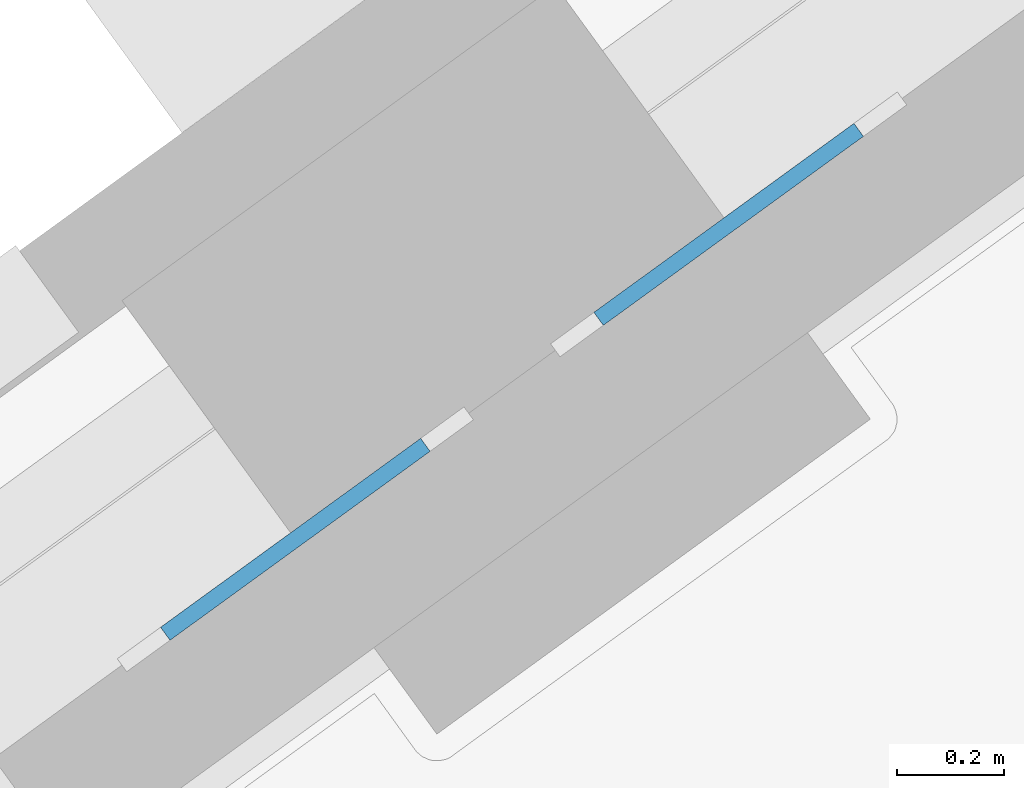
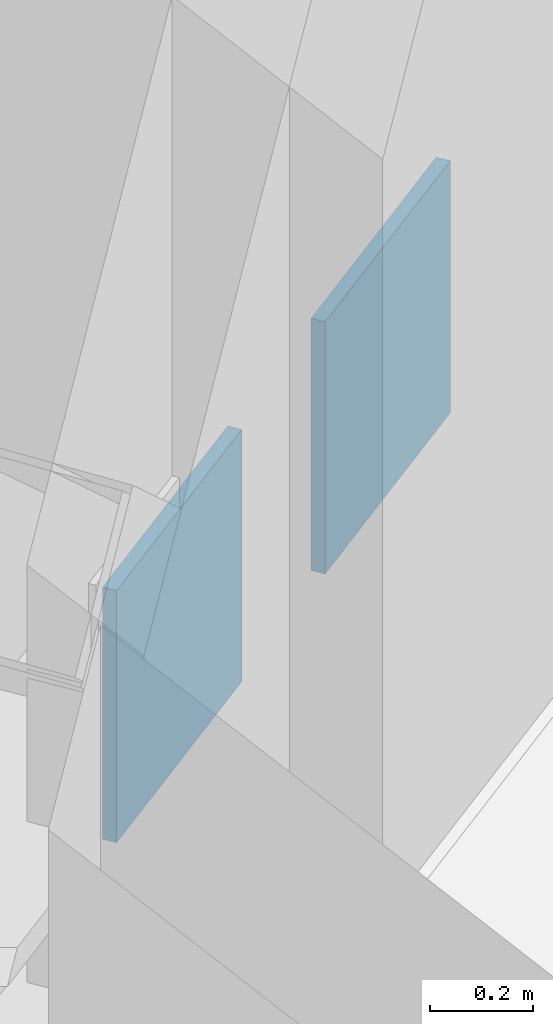
# One storey, part 9 of 19: 2 plates.
"""IFC4 building model written with IfcOpenShell, lengths in metres."""

from ifc_helpers import new_model, si_unit, direction, frame, origin, origin_2d, place, context, subcontext, project, spatial, rectangle, extrude, material, layer, layer_set, type_object, element, save


model = new_model("IFC4")

# Units and contexts
model_context = context("Model", 3, precision=1e-05, world=origin(), true_north=direction((0.0, 1.0)))
body_context = subcontext(model_context, "Body", "Model", "MODEL_VIEW")
ifc_project = project(units=[si_unit("LENGTHUNIT", "METRE"), si_unit("AREAUNIT", "SQUARE_METRE"), si_unit("VOLUMEUNIT", "CUBIC_METRE"), si_unit("PLANEANGLEUNIT", "RADIAN"), si_unit("MASSUNIT", "GRAM", prefix="KILO")], contexts=[model_context])

# Site, building, storey
site_placement = place(None, origin())
site = spatial("IfcSite", under=ifc_project, at=site_placement, CompositionType="ELEMENT")
building_placement = place(site_placement, origin())
building = spatial("IfcBuilding", under=site, at=building_placement, Name="Quipu Civic Tower", CompositionType="ELEMENT")
storey_placement = place(building_placement, frame((0.0, 0.0, 25.0)))
storey = spatial("IfcBuildingStorey", under=building, at=storey_placement, Name="L05", CompositionType="ELEMENT", Elevation=25.0)

# Plates
ifc_material = material(Name="Steel ASTM A572 Grade 50 (fy 345 MPa)", Category="steel")
ifc_layer = layer(ifc_material, 0.030029296875)
ifc_layer_set = layer_set([ifc_layer], Name="Steel ASTM A572 Grade 50 (fy 345 MPa)")
plate_type = type_object("IfcPlateType", Name="Cast in plate TD1", PredefinedType="SHEET", material=ifc_layer_set)
for number, where, z_axis, x_axis, name in (
    (1, (-48.66162109375, 40.2998046875, 0.245361328125), (0.0, 0.0, 1.0), (0.80902725304, 0.587771132193, 0.0), "Cast-in plate TD1 L05 003"),
    (2, (-49.470458984375, 39.7119140625, 0.245361328125), (0.0, 0.0, 1.0), (0.80902725304, 0.587771132193, 0.0), "Cast-in plate TD1 L05 006"),
):
    element("IfcPlate", number, at=place(storey_placement, frame(where, z_axis=z_axis, x_axis=x_axis)), inside=storey, type_object=plate_type, Name=name, PredefinedType="SHEET", context=body_context, shape_type="SweptSolid", body=[
        extrude(rectangle(XDim=0.60009765625, YDim=0.030029296875, at=origin_2d()), origin(), (0.0, 0.0, 1.0), 0.60009765625),
    ])

save(model, "model.ifc")
